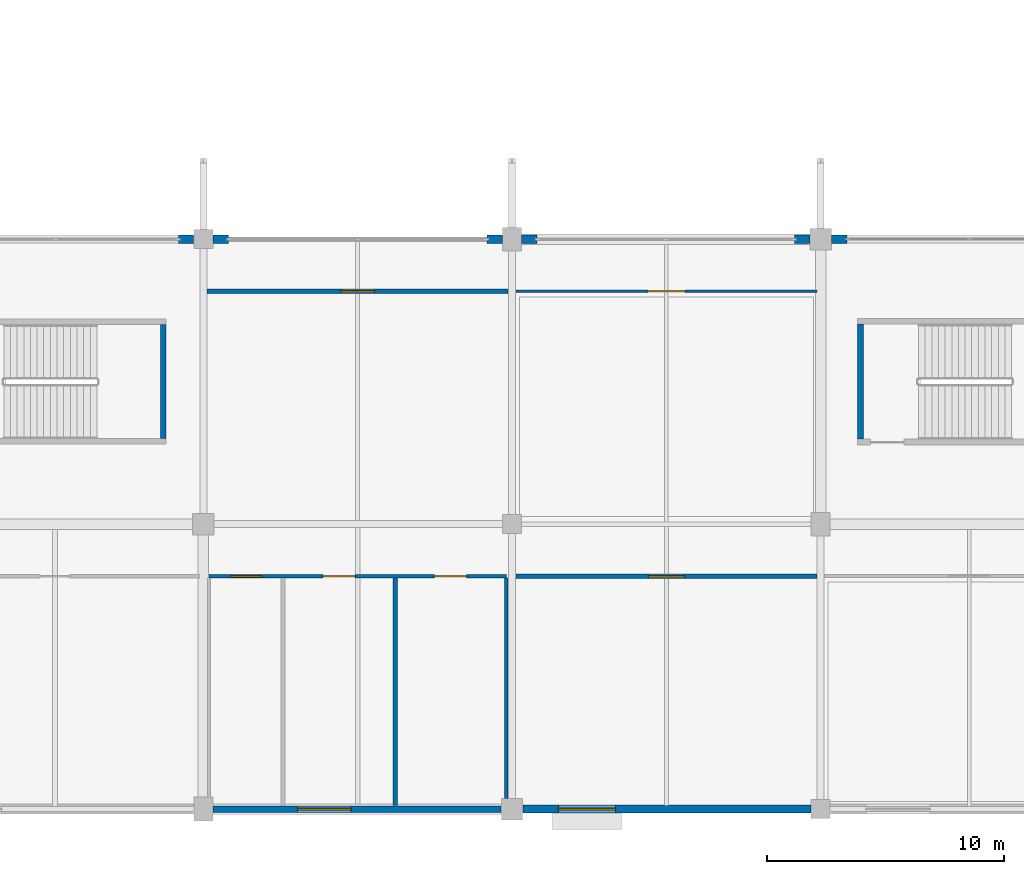
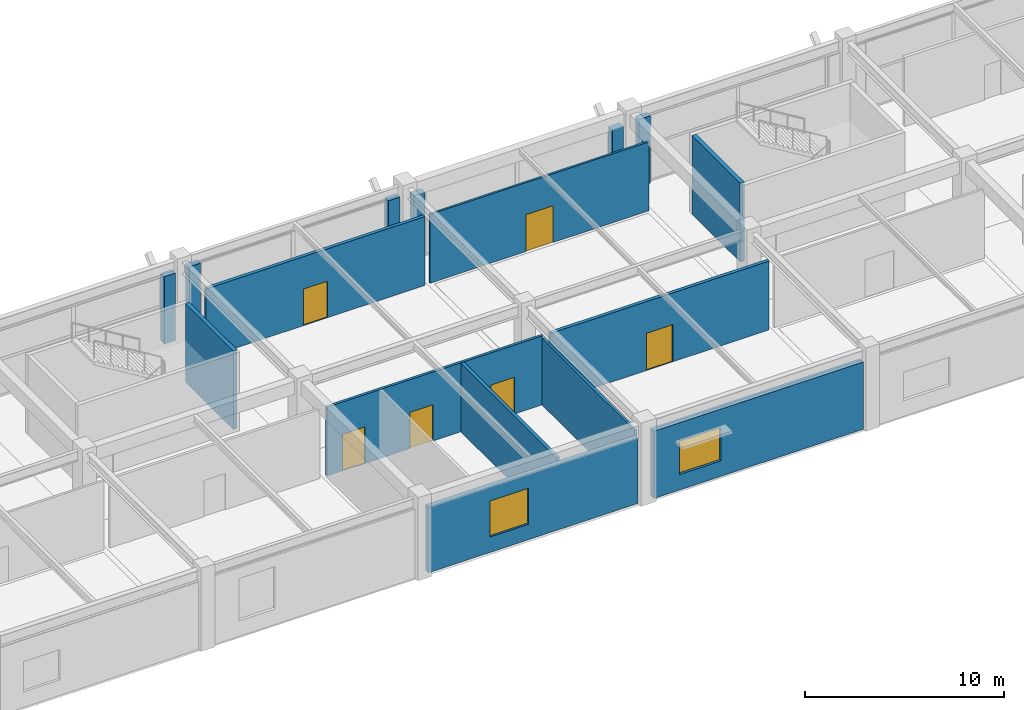
# One storey, part 69 of 116: 16 walls, 6 doors, 2 windows, 8 openings.
"""IFC4 building model written with IfcOpenShell, lengths in metres."""

from ifc_helpers import new_model, si_unit, direction, frame, frame_2d, origin, place, context, subcontext, project, spatial, rectangle, extrude, material, layer, layer_set, type_object, element, fill, save


model = new_model("IFC4")

# Units and contexts
model_context = context("Model", 3, precision=1e-05, world=origin(), true_north=direction((0.0, 1.0)))
body_context = subcontext(model_context, "Body", "Model", "MODEL_VIEW")
ifc_project = project(units=[si_unit("LENGTHUNIT", "METRE"), si_unit("AREAUNIT", "SQUARE_METRE"), si_unit("VOLUMEUNIT", "CUBIC_METRE"), si_unit("PLANEANGLEUNIT", "RADIAN"), si_unit("MASSUNIT", "GRAM", prefix="KILO")], contexts=[model_context])

# Site, building, storey
site_placement = place(None, origin())
site = spatial("IfcSite", under=ifc_project, at=site_placement, CompositionType="ELEMENT")
building_placement = place(site_placement, origin())
building = spatial("IfcBuilding", under=site, at=building_placement, Name="Kazenohara Klinker Stadium", CompositionType="ELEMENT")
storey_placement = place(building_placement, frame((0.0, 0.0, 10.199951171875)))
storey = spatial("IfcBuildingStorey", under=building, at=storey_placement, Name="L02", CompositionType="ELEMENT", Elevation=10.199951171875)

# Walls
ifc_material_1 = material(Name="Concrete C40/50", Category="concrete")
ifc_layer_1 = layer(ifc_material_1, 0.22998046875)
ifc_layer_set_1 = layer_set([ifc_layer_1], Name="Concrete C40/50")
wall_type_1 = type_object("IfcWallType", Name="WAL-CORE-230", PredefinedType="SHEAR", material=ifc_layer_set_1)
wall_1_placement = place(storey_placement, frame((97.31494140625, 27.60009765625, 0.0), z_axis=(0.0, 0.0, 1.0), x_axis=(0.0, 1.0, 0.0)))
element("IfcWall", 1, at=wall_1_placement, inside=storey, type_object=wall_type_1, Name="Stairwell shear wall ST26 L02 East", PredefinedType="SHEAR", context=body_context, shape_type="SweptSolid", body=[
    extrude(rectangle(XDim=4.7998046875, YDim=0.22998046875, at=frame_2d((2.39990234375, 0.0))), origin(), (0.0, 0.0, 1.0), 4.820068359375),
])
ifc_layer_2 = layer(ifc_material_1, 0.25)
ifc_layer_set_2 = layer_set([ifc_layer_2], Name="Concrete C40/50")
wall_type_2 = type_object("IfcWallType", Name="WAL-CORE-250", PredefinedType="SHEAR", material=ifc_layer_set_2)
wall_2_placement = place(storey_placement, frame((126.675048828125, 27.580078125, 0.0), z_axis=(0.0, 0.0, 1.0), x_axis=(0.0, 1.0, 0.0)))
element("IfcWall", 2, at=wall_2_placement, inside=storey, type_object=wall_type_2, Name="Stairwell shear wall ST27 L02 West", PredefinedType="SHEAR", context=body_context, shape_type="SweptSolid", body=[
    extrude(rectangle(XDim=4.83984375, YDim=0.25, at=frame_2d((2.419921875, 0.0))), origin(), (0.0, 0.0, 1.0), 4.820068359375),
])

# Wall, opening, window
ifc_material_2 = material(Name="Clinker brick masonry", Category="masonry")
ifc_layer_3 = layer(ifc_material_2, 0.280029296875)
ifc_layer_set_3 = layer_set([ifc_layer_3], Name="Clinker brick masonry")
wall_type_3 = type_object("IfcWallType", Name="WAL-EXT-CB280", PredefinedType="SOLIDWALL", material=ifc_layer_set_3)
wall_3_placement = place(storey_placement, frame((99.404052734375, 12.0, 0.0), z_axis=(0.0, 0.0, 1.0), x_axis=(1.0, 0.0, 0.0)))
wall_3 = element("IfcWall", 3, at=wall_3_placement, inside=storey, type_object=wall_type_3, Name="Clinker brick cavity wall EW06 L02 X8-1", PredefinedType="SOLIDWALL", context=body_context, shape_type="SweptSolid", body=[
    extrude(rectangle(XDim=12.141845703125, YDim=0.280029296875, at=frame_2d((6.07080078125, 0.0))), origin(), (0.0, 0.0, 1.0), 4.02001953125),
])
opening_1_placement = place(wall_3_placement, frame((3.572021484375, 0.0, 0.949951171875)))
opening_1 = element("IfcOpeningElement", 4, at=opening_1_placement, cuts=wall_3, Name="Opening W22", PredefinedType="OPENING", context=body_context, shape_type="SweptSolid", body=[
    extrude(rectangle(XDim=2.25, YDim=2.199951171875, at=frame_2d((1.125, 1.10009765625))), frame((0.0, 0.14990234375, 0.0), z_axis=(0.0, -1.0, 0.0), x_axis=(1.0, 0.0, 0.0)), (0.0, 0.0, 1.0), 0.300048828125),
])
ifc_material_3 = material(Name="Dark bronze aluminium frame and triple glazing", Category="aluminium")
window_type_1 = type_object("IfcWindowType", Name="WIN-AS-22", PartitioningType="SINGLE_PANEL", PredefinedType="WINDOW", material=ifc_material_3)
window_1_placement = place(opening_1_placement, origin())
window_1 = element("IfcWindow", 5, at=window_1_placement, inside=storey, type_object=window_type_1, Name="Horizontal-mullion ladder window W22 L02 X8-1", OverallHeight=2.199951171875, OverallWidth=2.25, PartitioningType="SINGLE_PANEL", PredefinedType="WINDOW", context=body_context, shape_type="SweptSolid", body=[
    extrude(rectangle(XDim=2.25, YDim=2.199951171875, at=frame_2d((1.125, 1.10009765625))), frame((0.0, 0.030029296875, 0.0), z_axis=(0.0, -1.0, 0.0), x_axis=(1.0, 0.0, 0.0)), (0.0, 0.0, 1.0), 0.06005859375),
])
fill(opening_1, window_1)

ifc_layer_4 = layer(ifc_material_2, 0.340087890625)
ifc_layer_set_4 = layer_set([ifc_layer_4], Name="Clinker brick masonry")
wall_type_4 = type_object("IfcWallType", Name="WAL-EXT-CB340", PredefinedType="SOLIDWALL", material=ifc_layer_set_4)
wall_4_placement = place(storey_placement, frame((112.4541015625, 12.0, 0.0), z_axis=(0.0, 0.0, 1.0), x_axis=(1.0, 0.0, 0.0)))
wall_4 = element("IfcWall", 6, at=wall_4_placement, inside=storey, type_object=wall_type_4, Name="Clinker brick cavity wall EW04 L02 X9-1", PredefinedType="SOLIDWALL", context=body_context, shape_type="SweptSolid", body=[
    extrude(rectangle(XDim=12.141845703125, YDim=0.340087890625, at=frame_2d((6.07080078125, 0.0))), origin(), (0.0, 0.0, 1.0), 4.1201171875),
])
opening_2_placement = place(wall_4_placement, frame((1.5, 0.0, 0.949951171875)))
opening_2 = element("IfcOpeningElement", 7, at=opening_2_placement, cuts=wall_4, Name="Opening W24", PredefinedType="OPENING", context=body_context, shape_type="SweptSolid", body=[
    extrude(rectangle(XDim=2.39990234375, YDim=2.050048828125, at=frame_2d((1.199951171875, 1.02490234375))), frame((0.0, 0.18017578125, 0.0), z_axis=(0.0, -1.0, 0.0), x_axis=(1.0, 0.0, 0.0)), (0.0, 0.0, 1.0), 0.360107421875),
])
window_type_2 = type_object("IfcWindowType", Name="WIN-AS-24", PartitioningType="SINGLE_PANEL", PredefinedType="WINDOW", material=ifc_material_3)
window_2_placement = place(opening_2_placement, origin())
window_2 = element("IfcWindow", 8, at=window_2_placement, inside=storey, type_object=window_type_2, Name="Horizontal-mullion ladder window W24 L02 X9-1", OverallHeight=2.050048828125, OverallWidth=2.39990234375, PartitioningType="SINGLE_PANEL", PredefinedType="WINDOW", context=body_context, shape_type="SweptSolid", body=[
    extrude(rectangle(XDim=2.39990234375, YDim=2.050048828125, at=frame_2d((1.199951171875, 1.02490234375))), frame((0.0, 0.030029296875, 0.0), z_axis=(0.0, -1.0, 0.0), x_axis=(1.0, 0.0, 0.0)), (0.0, 0.0, 1.0), 0.06005859375),
])
fill(opening_2, window_2)

# Walls
ifc_layer_5 = layer(ifc_material_2, 0.3701171875)
ifc_layer_set_5 = layer_set([ifc_layer_5], Name="Clinker brick masonry")
wall_type_5 = type_object("IfcWallType", Name="WAL-EXT-CB370", PredefinedType="SOLIDWALL", material=ifc_layer_set_5)
wall_5_placement = place(storey_placement, frame((97.946044921875, 36.0, 0.0), z_axis=(0.0, 0.0, 1.0), x_axis=(1.0, 0.0, 0.0)))
element("IfcWall", 9, at=wall_5_placement, inside=storey, type_object=wall_type_5, Name="Clinker brick curtain-wall jamb pier L02 X7-3 B", PredefinedType="SOLIDWALL", context=body_context, shape_type="SweptSolid", body=[
    extrude(rectangle(XDim=0.64990234375, YDim=0.3701171875, at=frame_2d((0.324951171875, 0.0))), origin(), (0.0, 0.0, 1.0), 4.1201171875),
])
for number, where, z_axis, x_axis, name in (
    (10, (99.404052734375, 36.0, 0.0), (0.0, 0.0, 1.0), (1.0, 0.0, 0.0), "Clinker brick curtain-wall jamb pier L02 X8-3 A"),
    (11, (110.946044921875, 36.0, 0.0), (0.0, 0.0, 1.0), (1.0, 0.0, 0.0), "Clinker brick curtain-wall jamb pier L02 X8-3 B"),
):
    element("IfcWall", number, at=place(storey_placement, frame(where, z_axis=z_axis, x_axis=x_axis)), inside=storey, type_object=wall_type_5, Name=name, PredefinedType="SOLIDWALL", context=body_context, shape_type="SweptSolid", body=[
        extrude(rectangle(XDim=0.64990234375, YDim=0.3701171875, at=frame_2d((0.324951171875, 0.0))), origin(), (0.0, 0.0, 1.0), 4.219970703125),
    ])
for number, where, z_axis, x_axis, name in (
    (12, (112.404052734375, 36.0, 0.0), (0.0, 0.0, 1.0), (1.0, 0.0, 0.0), "Clinker brick curtain-wall jamb pier L02 X9-3 A"),
    (13, (123.89599609375, 36.0, 0.0), (0.0, 0.0, 1.0), (1.0, 0.0, 0.0), "Clinker brick curtain-wall jamb pier L02 X9-3 B"),
):
    element("IfcWall", number, at=place(storey_placement, frame(where, z_axis=z_axis, x_axis=x_axis)), inside=storey, type_object=wall_type_5, Name=name, PredefinedType="SOLIDWALL", context=body_context, shape_type="SweptSolid", body=[
        extrude(rectangle(XDim=0.64990234375, YDim=0.3701171875, at=frame_2d((0.324951171875, 0.0))), origin(), (0.0, 0.0, 1.0), 4.02001953125),
    ])
wall_6_placement = place(storey_placement, frame((125.4541015625, 36.0, 0.0), z_axis=(0.0, 0.0, 1.0), x_axis=(1.0, 0.0, 0.0)))
element("IfcWall", 14, at=wall_6_placement, inside=storey, type_object=wall_type_5, Name="Clinker brick curtain-wall jamb pier L02 X10-3 A", PredefinedType="SOLIDWALL", context=body_context, shape_type="SweptSolid", body=[
    extrude(rectangle(XDim=0.64990234375, YDim=0.3701171875, at=frame_2d((0.324951171875, 0.0))), origin(), (0.0, 0.0, 1.0), 4.1201171875),
])

# Wall, opening, door
ifc_material_4 = material(Name="Fire-rated gypsum board on acoustic studs", Category="gypsum")
ifc_layer_6 = layer(ifc_material_4, 0.1201171875)
ifc_layer_set_6 = layer_set([ifc_layer_6], Name="Fire-rated gypsum board on acoustic studs")
wall_type_6 = type_object("IfcWallType", Name="WAL-INT-P120", PredefinedType="PARTITIONING", material=ifc_layer_set_6)
wall_7_placement = place(storey_placement, frame((112.159912109375, 33.81005859375, 0.0), z_axis=(0.0, 0.0, 1.0), x_axis=(1.0, 0.0, 0.0)))
wall_7 = element("IfcWall", 15, at=wall_7_placement, inside=storey, type_object=wall_type_6, Name="Interior partition wall PT02 SPC-L02-09-02-1-1", PredefinedType="PARTITIONING", context=body_context, shape_type="SweptSolid", body=[
    extrude(rectangle(XDim=12.68017578125, YDim=0.1201171875, at=frame_2d((6.340087890625, 0.0))), origin(), (0.0, 0.0, 1.0), 4.219970703125),
])
opening_3_placement = place(wall_7_placement, frame((7.1201171875, 0.0, 0.0), z_axis=(0.0, 0.0, 1.0), x_axis=(-1.0, 0.0, 0.0)))
opening_3 = element("IfcOpeningElement", 16, at=opening_3_placement, cuts=wall_7, Name="Opening ID22", PredefinedType="OPENING", context=body_context, shape_type="SweptSolid", body=[
    extrude(rectangle(XDim=1.56005859375, YDim=2.260009765625, at=frame_2d((0.780029296875, 1.1298828125))), frame((0.0, 0.070068359375, 0.0), z_axis=(0.0, -1.0, 0.0), x_axis=(1.0, 0.0, 0.0)), (0.0, 0.0, 1.0), 0.14013671875),
])
ifc_material_5 = material(Name="Painted steel plant fire door", Category="steel")
door_type_1 = type_object("IfcDoorType", Name="DR-INT-22", OperationType="NOTDEFINED", PredefinedType="DOOR", material=ifc_material_5)
door_1_placement = place(opening_3_placement, origin())
door_1 = element("IfcDoor", 17, at=door_1_placement, inside=storey, type_object=door_type_1, Name="Interior door ID22 Sapporo Autumn Banquet Hall L02-0902A", OperationType="SINGLE_SWING_LEFT", OverallHeight=2.260009765625, OverallWidth=1.56005859375, PredefinedType="DOOR", context=body_context, shape_type="SweptSolid", body=[
    extrude(rectangle(XDim=1.56005859375, YDim=2.260009765625, at=frame_2d((0.780029296875, 1.1298828125))), frame((0.0, 0.02490234375, 0.0), z_axis=(0.0, -1.0, 0.0), x_axis=(1.0, 0.0, 0.0)), (0.0, 0.0, 1.0), 0.050048828125),
])
fill(opening_3, door_1)

# Wall
ifc_layer_7 = layer(ifc_material_4, 0.139892578125)
ifc_layer_set_7 = layer_set([ifc_layer_7], Name="Fire-rated gypsum board on acoustic studs")
wall_type_7 = type_object("IfcWallType", Name="WAL-INT-P140", PredefinedType="PARTITIONING", material=ifc_layer_set_7)
wall_8_placement = place(storey_placement, frame((111.760009765625, 12.4541015625, 0.0), z_axis=(0.0, 0.0, 1.0), x_axis=(0.0, 1.0, 0.0)))
element("IfcWall", 18, at=wall_8_placement, inside=storey, type_object=wall_type_7, Name="Interior partition wall PT03 SPC-L02-08-01-1-2", PredefinedType="PARTITIONING", context=body_context, shape_type="SweptSolid", body=[
    extrude(rectangle(XDim=9.27587890625, YDim=0.139892578125, at=frame_2d((4.637939453125, 0.0))), origin(), (0.0, 0.0, 1.0), 4.080078125),
])

# Wall, openings, doors
ifc_layer_8 = layer(ifc_material_4, 0.14990234375)
ifc_layer_set_8 = layer_set([ifc_layer_8], Name="Fire-rated gypsum board on acoustic studs")
wall_type_8 = type_object("IfcWallType", Name="WAL-INT-P150", PredefinedType="PARTITIONING", material=ifc_layer_set_8)
wall_9_placement = place(storey_placement, frame((99.239990234375, 21.81005859375, 0.0), z_axis=(0.0, 0.0, 1.0), x_axis=(1.0, 0.0, 0.0)))
wall_9 = element("IfcWall", 19, at=wall_9_placement, inside=storey, type_object=wall_type_8, Name="Interior partition wall PT04 SPC-L02-08-01-1-3", PredefinedType="PARTITIONING", context=body_context, shape_type="SweptSolid", body=[
    extrude(rectangle(XDim=12.52001953125, YDim=0.14990234375, at=frame_2d((6.260009765625, 0.0))), origin(), (0.0, 0.0, 1.0), 4.219970703125),
])
opening_4_placement = place(wall_9_placement, frame((2.213134765625, 0.0, 0.0), z_axis=(0.0, 0.0, 1.0), x_axis=(-1.0, 0.0, 0.0)))
opening_4 = element("IfcOpeningElement", 20, at=opening_4_placement, cuts=wall_9, Name="Opening ID15", PredefinedType="OPENING", context=body_context, shape_type="SweptSolid", body=[
    extrude(rectangle(XDim=1.300048828125, YDim=2.239990234375, at=frame_2d((0.64990234375, 1.1201171875))), frame((0.0, 0.0849609375, 0.0), z_axis=(0.0, -1.0, 0.0), x_axis=(1.0, 0.0, 0.0)), (0.0, 0.0, 1.0), 0.169921875),
])
opening_5_placement = place(wall_9_placement, frame((6.1396484375, 0.0, 0.0), z_axis=(0.0, 0.0, 1.0), x_axis=(-1.0, 0.0, 0.0)))
opening_5 = element("IfcOpeningElement", 21, at=opening_5_placement, cuts=wall_9, Name="Opening ID16", PredefinedType="OPENING", context=body_context, shape_type="SweptSolid", body=[
    extrude(rectangle(XDim=1.330078125, YDim=2.219970703125, at=frame_2d((0.6650390625, 1.10986328125))), frame((0.0, 0.0849609375, 0.0), z_axis=(0.0, -1.0, 0.0), x_axis=(1.0, 0.0, 0.0)), (0.0, 0.0, 1.0), 0.169921875),
])
opening_6_placement = place(wall_9_placement, frame((10.851806640625, 0.0, 0.0), z_axis=(0.0, 0.0, 1.0), x_axis=(-1.0, 0.0, 0.0)))
opening_6 = element("IfcOpeningElement", 22, at=opening_6_placement, cuts=wall_9, Name="Opening ID17", PredefinedType="OPENING", context=body_context, shape_type="SweptSolid", body=[
    extrude(rectangle(XDim=1.360107421875, YDim=2.25, at=frame_2d((0.68017578125, 1.125))), frame((0.0, 0.0849609375, 0.0), z_axis=(0.0, -1.0, 0.0), x_axis=(1.0, 0.0, 0.0)), (0.0, 0.0, 1.0), 0.169921875),
])
ifc_material_6 = material(Name="Solid-core Hokkaido oak fire door", Category="wood")
door_type_2 = type_object("IfcDoorType", Name="DR-INT-15", OperationType="NOTDEFINED", PredefinedType="DOOR", material=ifc_material_6)
door_2_placement = place(opening_4_placement, origin())
door_2 = element("IfcDoor", 23, at=door_2_placement, inside=storey, type_object=door_type_2, Name="Interior door ID15 Accessible Water Closet Restroom L02-0801A", OperationType="SINGLE_SWING_RIGHT", OverallHeight=2.239990234375, OverallWidth=1.300048828125, PredefinedType="DOOR", context=body_context, shape_type="SweptSolid", body=[
    extrude(rectangle(XDim=1.300048828125, YDim=2.239990234375, at=frame_2d((0.64990234375, 1.1201171875))), frame((0.0, 0.02490234375, 0.0), z_axis=(0.0, -1.0, 0.0), x_axis=(1.0, 0.0, 0.0)), (0.0, 0.0, 1.0), 0.050048828125),
])
fill(opening_4, door_2)
door_type_3 = type_object("IfcDoorType", Name="DR-INT-16", OperationType="NOTDEFINED", PredefinedType="DOOR", material=ifc_material_6)
door_3_placement = place(opening_5_placement, origin())
door_3 = element("IfcDoor", 24, at=door_3_placement, inside=storey, type_object=door_type_3, Name="Interior door ID16 Water Closet Restroom Male L02-0801B", OperationType="SINGLE_SWING_LEFT", OverallHeight=2.219970703125, OverallWidth=1.330078125, PredefinedType="DOOR", context=body_context, shape_type="SweptSolid", body=[
    extrude(rectangle(XDim=1.330078125, YDim=2.219970703125, at=frame_2d((0.6650390625, 1.10986328125))), frame((0.0, 0.02490234375, 0.0), z_axis=(0.0, -1.0, 0.0), x_axis=(1.0, 0.0, 0.0)), (0.0, 0.0, 1.0), 0.050048828125),
])
fill(opening_5, door_3)
door_type_4 = type_object("IfcDoorType", Name="DR-INT-17", OperationType="NOTDEFINED", PredefinedType="DOOR", material=ifc_material_6)
door_4_placement = place(opening_6_placement, origin())
door_4 = element("IfcDoor", 25, at=door_4_placement, inside=storey, type_object=door_type_4, Name="Interior door ID17 Water Closet Restroom Female L02-0801C", OperationType="SINGLE_SWING_RIGHT", OverallHeight=2.25, OverallWidth=1.360107421875, PredefinedType="DOOR", context=body_context, shape_type="SweptSolid", body=[
    extrude(rectangle(XDim=1.360107421875, YDim=2.25, at=frame_2d((0.68017578125, 1.125))), frame((0.0, 0.02490234375, 0.0), z_axis=(0.0, -1.0, 0.0), x_axis=(1.0, 0.0, 0.0)), (0.0, 0.0, 1.0), 0.050048828125),
])
fill(opening_6, door_4)

# Wall
ifc_layer_9 = layer(ifc_material_4, 0.18994140625)
ifc_layer_set_9 = layer_set([ifc_layer_9], Name="Fire-rated gypsum board on acoustic studs")
wall_type_9 = type_object("IfcWallType", Name="WAL-INT-P190", PredefinedType="PARTITIONING", material=ifc_layer_set_9)
wall_10_placement = place(storey_placement, frame((107.0830078125, 12.14208984375, 0.0), z_axis=(0.0, 0.0, 1.0), x_axis=(0.0, 1.0, 0.0)))
element("IfcWall", 26, at=wall_10_placement, inside=storey, type_object=wall_type_9, Name="Interior partition wall PT06 SPC-L02-08-01-1-5", PredefinedType="PARTITIONING", context=body_context, shape_type="SweptSolid", body=[
    extrude(rectangle(XDim=9.587890625, YDim=0.18994140625, at=frame_2d((4.7939453125, 0.0))), origin(), (0.0, 0.0, 1.0), 4.219970703125),
])

# Wall, opening, door
wall_11_placement = place(storey_placement, frame((99.159912109375, 33.81005859375, 0.0), z_axis=(0.0, 0.0, 1.0), x_axis=(1.0, 0.0, 0.0)))
wall_11 = element("IfcWall", 27, at=wall_11_placement, inside=storey, type_object=wall_type_9, Name="Interior partition wall PT06 SPC-L02-08-02-1-1", PredefinedType="PARTITIONING", context=body_context, shape_type="SweptSolid", body=[
    extrude(rectangle(XDim=12.68017578125, YDim=0.18994140625, at=frame_2d((6.340087890625, 0.0))), origin(), (0.0, 0.0, 1.0), 4.219970703125),
])
opening_7_placement = place(wall_11_placement, frame((7.039794921875, 0.0, 0.0), z_axis=(0.0, 0.0, 1.0), x_axis=(-1.0, 0.0, 0.0)))
opening_7 = element("IfcOpeningElement", 28, at=opening_7_placement, cuts=wall_11, Name="Opening ID18", PredefinedType="OPENING", context=body_context, shape_type="SweptSolid", body=[
    extrude(rectangle(XDim=1.39990234375, YDim=2.239990234375, at=frame_2d((0.699951171875, 1.1201171875))), frame((0.0, 0.10498046875, 0.0), z_axis=(0.0, -1.0, 0.0), x_axis=(1.0, 0.0, 0.0)), (0.0, 0.0, 1.0), 0.2099609375),
])
door_type_5 = type_object("IfcDoorType", Name="DR-INT-18", OperationType="NOTDEFINED", PredefinedType="DOOR", material=ifc_material_6)
door_5_placement = place(opening_7_placement, origin())
door_5 = element("IfcDoor", 29, at=door_5_placement, inside=storey, type_object=door_type_5, Name="Interior door ID18 Hospitality Culinary Catering Kitchen L02-0802A", OperationType="SINGLE_SWING_LEFT", OverallHeight=2.239990234375, OverallWidth=1.39990234375, PredefinedType="DOOR", context=body_context, shape_type="SweptSolid", body=[
    extrude(rectangle(XDim=1.39990234375, YDim=2.239990234375, at=frame_2d((0.699951171875, 1.1201171875))), frame((0.0, 0.02490234375, 0.0), z_axis=(0.0, -1.0, 0.0), x_axis=(1.0, 0.0, 0.0)), (0.0, 0.0, 1.0), 0.050048828125),
])
fill(opening_7, door_5)

wall_12_placement = place(storey_placement, frame((112.159912109375, 21.81005859375, 0.0), z_axis=(0.0, 0.0, 1.0), x_axis=(1.0, 0.0, 0.0)))
wall_12 = element("IfcWall", 30, at=wall_12_placement, inside=storey, type_object=wall_type_9, Name="Interior partition wall PT06 SPC-L02-09-01-1-1", PredefinedType="PARTITIONING", context=body_context, shape_type="SweptSolid", body=[
    extrude(rectangle(XDim=12.68017578125, YDim=0.18994140625, at=frame_2d((6.340087890625, 0.0))), origin(), (0.0, 0.0, 1.0), 4.219970703125),
])
opening_8_placement = place(wall_12_placement, frame((7.10009765625, 0.0, 0.0), z_axis=(0.0, 0.0, 1.0), x_axis=(-1.0, 0.0, 0.0)))
opening_8 = element("IfcOpeningElement", 31, at=opening_8_placement, cuts=wall_12, Name="Opening ID21", PredefinedType="OPENING", context=body_context, shape_type="SweptSolid", body=[
    extrude(rectangle(XDim=1.52001953125, YDim=2.280029296875, at=frame_2d((0.760009765625, 1.14013671875))), frame((0.0, 0.10498046875, 0.0), z_axis=(0.0, -1.0, 0.0), x_axis=(1.0, 0.0, 0.0)), (0.0, 0.0, 1.0), 0.2099609375),
])
door_type_6 = type_object("IfcDoorType", Name="DR-INT-21", OperationType="NOTDEFINED", PredefinedType="DOOR", material=ifc_material_5)
door_6_placement = place(opening_8_placement, origin())
door_6 = element("IfcDoor", 32, at=door_6_placement, inside=storey, type_object=door_type_6, Name="Interior door ID21 Club Reception Dining Lounge L02-0901A", OperationType="SINGLE_SWING_RIGHT", OverallHeight=2.280029296875, OverallWidth=1.52001953125, PredefinedType="DOOR", context=body_context, shape_type="SweptSolid", body=[
    extrude(rectangle(XDim=1.52001953125, YDim=2.280029296875, at=frame_2d((0.760009765625, 1.14013671875))), frame((0.0, 0.02490234375, 0.0), z_axis=(0.0, -1.0, 0.0), x_axis=(1.0, 0.0, 0.0)), (0.0, 0.0, 1.0), 0.050048828125),
])
fill(opening_8, door_6)

save(model, "model.ifc")
